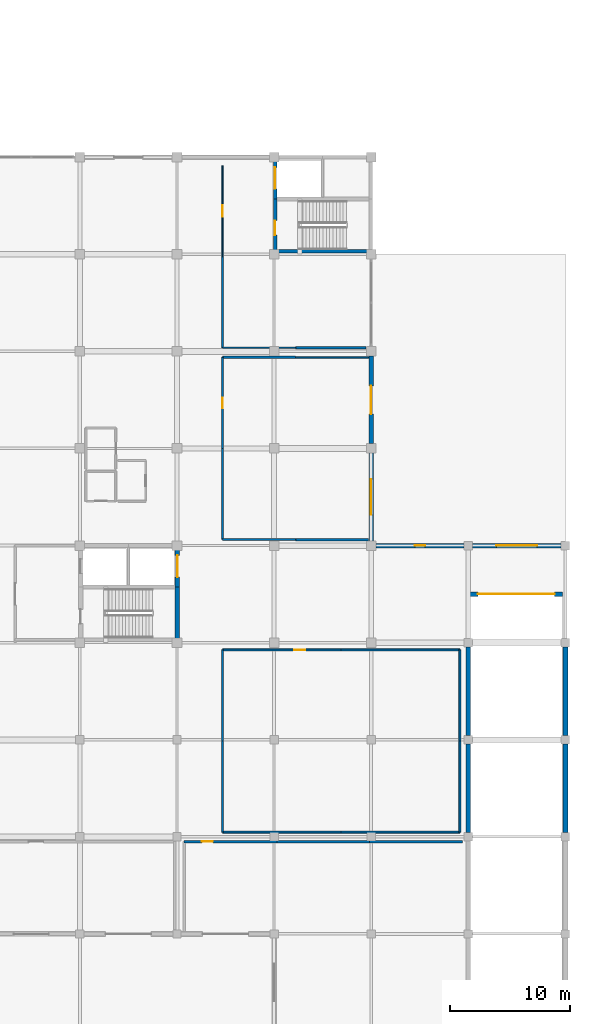
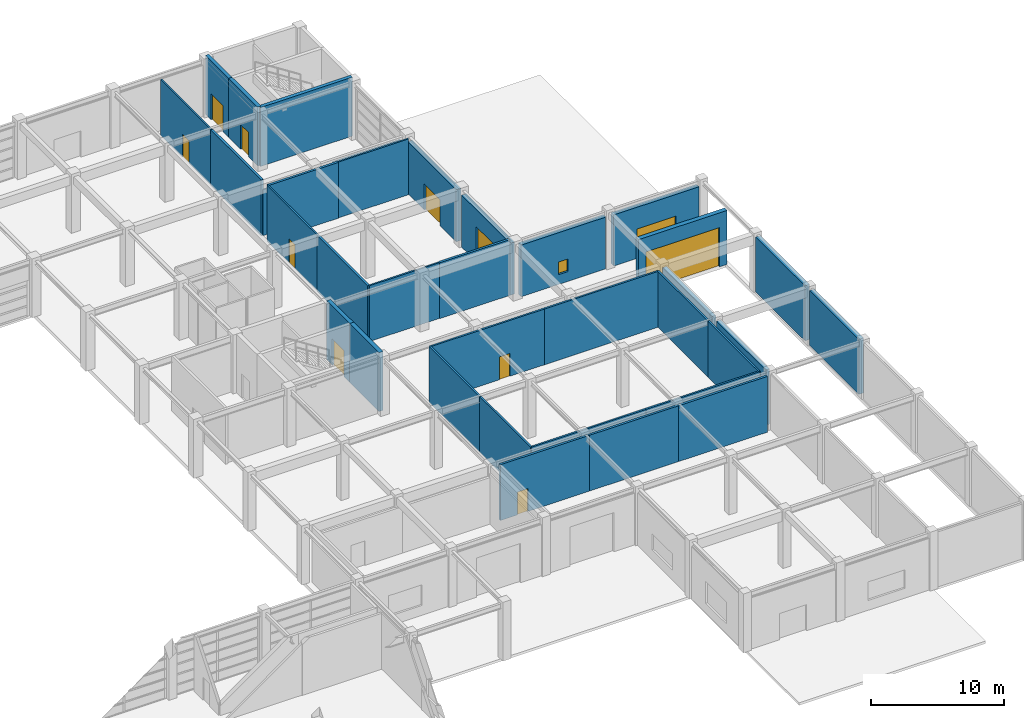
# One storey, part 42 of 52: 35 walls, 10 doors, 2 windows, 12 openings.
"""IFC4 building model written with IfcOpenShell, lengths in metres."""

from ifc_helpers import new_model, si_unit, direction, frame, frame_2d, origin, place, context, subcontext, project, spatial, rectangle, extrude, material, layer, layer_set, type_object, element, fill, save


model = new_model("IFC4")

# Units and contexts
model_context = context("Model", 3, precision=1e-05, world=origin(), true_north=direction((0.0, 1.0)))
body_context = subcontext(model_context, "Body", "Model", "MODEL_VIEW")
ifc_project = project(units=[si_unit("LENGTHUNIT", "METRE"), si_unit("AREAUNIT", "SQUARE_METRE"), si_unit("VOLUMEUNIT", "CUBIC_METRE"), si_unit("PLANEANGLEUNIT", "RADIAN"), si_unit("MASSUNIT", "GRAM", prefix="KILO")], contexts=[model_context])

# Site, building, storey
site_placement = place(None, origin())
site = spatial("IfcSite", under=ifc_project, at=site_placement, CompositionType="ELEMENT")
building_placement = place(site_placement, origin())
building = spatial("IfcBuilding", under=site, at=building_placement, Name="Parian Resonance Hall", CompositionType="ELEMENT")
storey_placement = place(building_placement, origin())
storey = spatial("IfcBuildingStorey", under=building, at=storey_placement, Name="L00", CompositionType="ELEMENT", Elevation=0.0)

# Wall, opening, door
ifc_material_1 = material(Name="Concrete C40/50", Category="concrete")
ifc_layer_1 = layer(ifc_material_1, 0.31005859375)
ifc_layer_set_1 = layer_set([ifc_layer_1], Name="Concrete C40/50")
wall_type_1 = type_object("IfcWallType", Name="CW310", PredefinedType="SHEAR", material=ifc_layer_set_1)
wall_1_placement = place(storey_placement, frame((137.7900390625, 81.25, 0.0), z_axis=(0.0, 0.0, 1.0), x_axis=(0.0, 1.0, 0.0)))
wall_1 = element("IfcWall", 1, at=wall_1_placement, inside=storey, type_object=wall_type_1, Name="Core K6 stairwell west shear wall L00", PredefinedType="SHEAR", context=body_context, shape_type="SweptSolid", body=[
    extrude(rectangle(XDim=4.360107421875, YDim=0.31005859375, at=frame_2d((2.18017578125, 0.0))), origin(), (0.0, 0.0, 1.0), 5.39990234375),
])
opening_1_placement = place(wall_1_placement, frame((1.35009765625, 0.0, 0.0)))
opening_1 = element("IfcOpeningElement", 2, at=opening_1_placement, cuts=wall_1, Name="Opening FD-01", PredefinedType="OPENING", context=body_context, shape_type="SweptSolid", body=[
    extrude(rectangle(XDim=1.199951171875, YDim=2.25, at=frame_2d((0.60009765625, 1.125))), frame((0.0, 0.1650390625, 0.0), z_axis=(0.0, -1.0, 0.0), x_axis=(1.0, 0.0, 0.0)), (0.0, 0.0, 1.0), 0.330078125),
])
ifc_material_2 = material(Name="Fire-rated acoustic steel and narra timber door", Category="steel")
door_type_1 = type_object("IfcDoorType", Name="FD-01", OperationType="NOTDEFINED", PredefinedType="DOOR", material=ifc_material_2)
door_1_placement = place(opening_1_placement, origin())
door_1 = element("IfcDoor", 3, at=door_1_placement, inside=storey, type_object=door_type_1, Name="Exit stair ST-06 fire door L00", OperationType="SINGLE_SWING_RIGHT", OverallHeight=2.25, OverallWidth=1.199951171875, PredefinedType="DOOR", context=body_context, shape_type="SweptSolid", body=[
    extrude(rectangle(XDim=1.199951171875, YDim=2.25, at=frame_2d((0.60009765625, 1.125))), frame((0.0, 0.02490234375, 0.0), z_axis=(0.0, -1.0, 0.0), x_axis=(1.0, 0.0, 0.0)), (0.0, 0.0, 1.0), 0.050048828125),
])
fill(opening_1, door_1)

wall_2_placement = place(storey_placement, frame((137.7900390625, 85.610107421875, 0.0), z_axis=(0.0, 0.0, 1.0), x_axis=(0.0, 1.0, 0.0)))
wall_2 = element("IfcWall", 4, at=wall_2_placement, inside=storey, type_object=wall_type_1, Name="Core K6 lift shaft west shear wall L00", PredefinedType="SHEAR", context=body_context, shape_type="SweptSolid", body=[
    extrude(rectangle(XDim=3.489990234375, YDim=0.31005859375, at=frame_2d((1.7451171875, 0.0))), origin(), (0.0, 0.0, 1.0), 5.39990234375),
])
opening_2_placement = place(wall_2_placement, frame((0.844970703125, 0.0, 0.0)))
opening_2 = element("IfcOpeningElement", 5, at=opening_2_placement, cuts=wall_2, Name="Opening LD-02", PredefinedType="OPENING", context=body_context, shape_type="SweptSolid", body=[
    extrude(rectangle(XDim=1.800048828125, YDim=2.39990234375, at=frame_2d((0.89990234375, 1.199951171875))), frame((0.0, 0.1650390625, 0.0), z_axis=(0.0, -1.0, 0.0), x_axis=(1.0, 0.0, 0.0)), (0.0, 0.0, 1.0), 0.330078125),
])
ifc_material_3 = material(Name="Stainless steel and bronze elevator cab", Category="steel")
door_type_2 = type_object("IfcDoorType", Name="DOOR-LIFT-1800x2400", OperationType="SLIDING_TO_LEFT", PredefinedType="DOOR", material=ifc_material_3)
door_2_placement = place(opening_2_placement, origin())
door_2 = element("IfcDoor", 6, at=door_2_placement, inside=storey, type_object=door_type_2, Name="Lift LF-08 sliding landing door L00", OperationType="SLIDING_TO_LEFT", OverallHeight=2.39990234375, OverallWidth=1.800048828125, PredefinedType="DOOR", context=body_context, shape_type="SweptSolid", body=[
    extrude(rectangle(XDim=1.800048828125, YDim=2.39990234375, at=frame_2d((0.89990234375, 1.199951171875))), frame((0.0, 0.02490234375, 0.0), z_axis=(0.0, -1.0, 0.0), x_axis=(1.0, 0.0, 0.0)), (0.0, 0.0, 1.0), 0.050048828125),
])
fill(opening_2, door_2)

# Wall
wall_3_placement = place(storey_placement, frame((145.77001953125, 81.25, 0.0), z_axis=(0.0, 0.0, 1.0), x_axis=(-1.0, 0.0, 0.0)))
element("IfcWall", 7, at=wall_3_placement, inside=storey, type_object=wall_type_1, Name="Core K6 stairwell south wall L00", PredefinedType="SHEAR", context=body_context, shape_type="SweptSolid", body=[
    extrude(rectangle(XDim=7.97998046875, YDim=0.31005859375, at=frame_2d((3.989990234375, 0.0))), origin(), (0.0, 0.0, 1.0), 5.39990234375),
])

# Wall, opening, door
ifc_material_4 = material(Name="Concrete C40/50", Category="concrete")
ifc_layer_2 = layer(ifc_material_4, 0.35009765625)
ifc_layer_set_2 = layer_set([ifc_layer_2], Name="Concrete C40/50")
wall_type_2 = type_object("IfcWallType", Name="CW350", PredefinedType="SHEAR", material=ifc_layer_set_2)
wall_4_placement = place(storey_placement, frame((129.6298828125, 56.699951171875, 0.0), z_axis=(0.0, 0.0, 1.0), x_axis=(0.0, -1.0, 0.0)))
wall_4 = element("IfcWall", 8, at=wall_4_placement, inside=storey, type_object=wall_type_2, Name="Core K2 east shaft wall L00", PredefinedType="SHEAR", context=body_context, shape_type="SweptSolid", body=[
    extrude(rectangle(XDim=3.449951171875, YDim=0.35009765625, at=frame_2d((1.72509765625, 0.0))), origin(), (0.0, 0.0, 1.0), 5.39990234375),
])
opening_3_placement = place(wall_4_placement, frame((0.824951171875, 0.0, 0.0)))
opening_3 = element("IfcOpeningElement", 9, at=opening_3_placement, cuts=wall_4, Name="Opening LD-02", PredefinedType="OPENING", context=body_context, shape_type="SweptSolid", body=[
    extrude(rectangle(XDim=1.800048828125, YDim=2.39990234375, at=frame_2d((0.89990234375, 1.199951171875))), frame((0.0, 0.18505859375, 0.0), z_axis=(0.0, -1.0, 0.0), x_axis=(1.0, 0.0, 0.0)), (0.0, 0.0, 1.0), 0.3701171875),
])
door_3_placement = place(opening_3_placement, origin())
door_3 = element("IfcDoor", 10, at=door_3_placement, inside=storey, type_object=door_type_2, Name="Lift LF-07 sliding landing door L00", OperationType="SLIDING_TO_LEFT", OverallHeight=2.39990234375, OverallWidth=1.800048828125, PredefinedType="DOOR", context=body_context, shape_type="SweptSolid", body=[
    extrude(rectangle(XDim=1.800048828125, YDim=2.39990234375, at=frame_2d((0.89990234375, 1.199951171875))), frame((0.0, 0.02490234375, 0.0), z_axis=(0.0, -1.0, 0.0), x_axis=(1.0, 0.0, 0.0)), (0.0, 0.0, 1.0), 0.050048828125),
])
fill(opening_3, door_3)

# Wall
wall_5_placement = place(storey_placement, frame((129.6298828125, 53.25, 0.0), z_axis=(0.0, 0.0, 1.0), x_axis=(0.0, -1.0, 0.0)))
element("IfcWall", 11, at=wall_5_placement, inside=storey, type_object=wall_type_2, Name="Core K2 stairwell east wall L00", PredefinedType="SHEAR", context=body_context, shape_type="SweptSolid", body=[
    extrude(rectangle(XDim=4.419921875, YDim=0.35009765625, at=frame_2d((2.2099609375, 0.0))), origin(), (0.0, 0.0, 1.0), 5.39990234375),
])

# Wall, opening, door
ifc_material_5 = material(Name="Concrete C35/45 with Carcar coral-limestone ashlar", Category="masonry")
ifc_layer_3 = layer(ifc_material_5, 0.3798828125)
ifc_layer_set_3 = layer_set([ifc_layer_3], Name="Concrete C35/45 with Carcar coral-limestone ashlar")
wall_type_3 = type_object("IfcWallType", Name="EW-PLINTH-380", PredefinedType="SOLIDWALL", material=ifc_layer_set_3)
wall_6_placement = place(storey_placement, frame((154.050048828125, 52.64990234375, 0.0), z_axis=(0.0, 0.0, 1.0), x_axis=(1.0, 0.0, 0.0)))
wall_6 = element("IfcWall", 12, at=wall_6_placement, inside=storey, type_object=wall_type_3, Name="Vehicle ramp grade portal wall", PredefinedType="SOLIDWALL", context=body_context, shape_type="SweptSolid", body=[
    extrude(rectangle(XDim=7.699951171875, YDim=0.3798828125, at=frame_2d((3.85009765625, 0.0))), origin(), (0.0, 0.0, 1.0), 4.949951171875),
])
opening_4_placement = place(wall_6_placement, frame((0.64990234375, 0.0, 0.0)))
opening_4 = element("IfcOpeningElement", 13, at=opening_4_placement, cuts=wall_6, Name="Opening VG-01", PredefinedType="OPENING", context=body_context, shape_type="SweptSolid", body=[
    extrude(rectangle(XDim=6.39990234375, YDim=3.60009765625, at=frame_2d((3.199951171875, 1.800048828125))), frame((0.0, 0.199951171875, 0.0), z_axis=(0.0, -1.0, 0.0), x_axis=(1.0, 0.0, 0.0)), (0.0, 0.0, 1.0), 0.39990234375),
])
ifc_material_6 = material(Name="Galvanised steel acoustic roller shutter", Category="steel")
door_type_3 = type_object("IfcDoorType", Name="GATE-RAMP-6400x3600", OperationType="NOTDEFINED", PredefinedType="GATE", material=ifc_material_6)
door_4_placement = place(opening_4_placement, origin())
door_4 = element("IfcDoor", 14, at=door_4_placement, inside=storey, type_object=door_type_3, Name="Car park vehicle ramp roller shutter gate VG-01", OperationType="SLIDING_TO_LEFT", OverallHeight=3.60009765625, OverallWidth=6.39990234375, PredefinedType="GATE", context=body_context, shape_type="SweptSolid", body=[
    extrude(rectangle(XDim=6.39990234375, YDim=3.60009765625, at=frame_2d((3.199951171875, 1.800048828125))), frame((0.0, 0.02490234375, 0.0), z_axis=(0.0, -1.0, 0.0), x_axis=(1.0, 0.0, 0.0)), (0.0, 0.0, 1.0), 0.050048828125),
])
fill(opening_4, door_4)

# Wall, opening, window
wall_7_placement = place(storey_placement, frame((161.64990234375, 56.699951171875, 0.0), z_axis=(0.0, 0.0, 1.0), x_axis=(-1.0, 0.0, 0.0)))
wall_7 = element("IfcWall", 15, at=wall_7_placement, inside=storey, type_object=wall_type_3, Name="Perimeter closure wall L00", PredefinedType="SOLIDWALL", context=body_context, shape_type="SweptSolid", body=[
    extrude(rectangle(XDim=7.39990234375, YDim=0.3798828125, at=frame_2d((3.699951171875, 0.0))), origin(), (0.0, 0.0, 1.0), 4.695068359375),
])
opening_5_placement = place(wall_7_placement, frame((2.0, 0.0, 0.89990234375)))
opening_5 = element("IfcOpeningElement", 16, at=opening_5_placement, cuts=wall_7, Name="Opening WN-52", PredefinedType="OPENING", context=body_context, shape_type="SweptSolid", body=[
    extrude(rectangle(XDim=3.39990234375, YDim=1.800048828125, at=frame_2d((1.699951171875, 0.89990234375))), frame((0.0, 0.199951171875, 0.0), z_axis=(0.0, -1.0, 0.0), x_axis=(1.0, 0.0, 0.0)), (0.0, 0.0, 1.0), 0.39990234375),
])
ifc_material_7 = material(Name="Acoustic laminated double glazing", Category="glass")
window_type_1 = type_object("IfcWindowType", Name="WIN-3400x1800", PartitioningType="SINGLE_PANEL", PredefinedType="WINDOW", material=ifc_material_7)
window_1_placement = place(opening_5_placement, origin())
window_1 = element("IfcWindow", 17, at=window_1_placement, inside=storey, type_object=window_type_1, Name="Acoustic window L00-0045", OverallHeight=1.800048828125, OverallWidth=3.39990234375, PartitioningType="SINGLE_PANEL", PredefinedType="WINDOW", context=body_context, shape_type="SweptSolid", body=[
    extrude(rectangle(XDim=3.39990234375, YDim=1.800048828125, at=frame_2d((1.699951171875, 0.89990234375))), frame((0.0, 0.030029296875, 0.0), z_axis=(0.0, -1.0, 0.0), x_axis=(1.0, 0.0, 0.0)), (0.0, 0.0, 1.0), 0.06005859375),
])
fill(opening_5, window_1)

wall_8_placement = place(storey_placement, frame((153.550048828125, 56.699951171875, 0.0), z_axis=(0.0, 0.0, 1.0), x_axis=(-1.0, 0.0, 0.0)))
wall_8 = element("IfcWall", 18, at=wall_8_placement, inside=storey, type_object=wall_type_3, Name="Perimeter closure wall L00", PredefinedType="SOLIDWALL", context=body_context, shape_type="SweptSolid", body=[
    extrude(rectangle(XDim=7.35009765625, YDim=0.3798828125, at=frame_2d((3.675048828125, 0.0))), origin(), (0.0, 0.0, 1.0), 4.7470703125),
])
opening_6_placement = place(wall_8_placement, frame((3.25, 0.0, 0.89990234375)))
opening_6 = element("IfcOpeningElement", 19, at=opening_6_placement, cuts=wall_8, Name="Opening WN-01", PredefinedType="OPENING", context=body_context, shape_type="SweptSolid", body=[
    extrude(rectangle(XDim=0.85009765625, YDim=1.14990234375, at=frame_2d((0.425048828125, 0.574951171875))), frame((0.0, 0.199951171875, 0.0), z_axis=(0.0, -1.0, 0.0), x_axis=(1.0, 0.0, 0.0)), (0.0, 0.0, 1.0), 0.39990234375),
])
ifc_material_8 = material(Name="Acoustic laminated double glazing", Category="glass")
window_type_2 = type_object("IfcWindowType", Name="WIN-850x1150", PartitioningType="SINGLE_PANEL", PredefinedType="WINDOW", material=ifc_material_8)
window_2_placement = place(opening_6_placement, origin())
window_2 = element("IfcWindow", 20, at=window_2_placement, inside=storey, type_object=window_type_2, Name="Acoustic window L00-0046", OverallHeight=1.14990234375, OverallWidth=0.85009765625, PartitioningType="SINGLE_PANEL", PredefinedType="WINDOW", context=body_context, shape_type="SweptSolid", body=[
    extrude(rectangle(XDim=0.85009765625, YDim=1.14990234375, at=frame_2d((0.425048828125, 0.574951171875))), frame((0.0, 0.030029296875, 0.0), z_axis=(0.0, -1.0, 0.0), x_axis=(1.0, 0.0, 0.0)), (0.0, 0.0, 1.0), 0.06005859375),
])
fill(opening_6, window_2)

# Wall, opening, door
ifc_material_9 = material(Name="Concrete C35/45 with Carcar coral-limestone ashlar", Category="masonry")
ifc_layer_4 = layer(ifc_material_9, 0.39990234375)
ifc_layer_set_4 = layer_set([ifc_layer_4], Name="Concrete C35/45 with Carcar coral-limestone ashlar")
wall_type_4 = type_object("IfcWallType", Name="EW-PLINTH-400", PredefinedType="SOLIDWALL", material=ifc_layer_set_4)
wall_9_placement = place(storey_placement, frame((145.800048828125, 64.39990234375, 0.0), z_axis=(0.0, 0.0, 1.0), x_axis=(0.0, -1.0, 0.0)))
wall_9 = element("IfcWall", 21, at=wall_9_placement, inside=storey, type_object=wall_type_4, Name="Exterior wall EW-L00-0157", PredefinedType="SOLIDWALL", context=body_context, shape_type="SweptSolid", body=[
    extrude(rectangle(XDim=7.2998046875, YDim=0.39990234375, at=frame_2d((3.64990234375, 0.0))), origin(), (0.0, 0.0, 1.0), 4.76708984375),
])
opening_7_placement = place(wall_9_placement, frame((2.14990234375, 0.0, 0.0)))
opening_7 = element("IfcOpeningElement", 22, at=opening_7_placement, cuts=wall_9, Name="Opening SG-01", PredefinedType="OPENING", context=body_context, shape_type="SweptSolid", body=[
    extrude(rectangle(XDim=3.0, YDim=3.199951171875, at=frame_2d((1.5, 1.60009765625))), frame((0.0, 0.2099609375, 0.0), z_axis=(0.0, -1.0, 0.0), x_axis=(1.0, 0.0, 0.0)), (0.0, 0.0, 1.0), 0.419921875),
])
ifc_material_10 = material(Name="Galvanised steel acoustic roller shutter", Category="steel")
door_type_4 = type_object("IfcDoorType", Name="GATE-SERV-3000x3200", OperationType="NOTDEFINED", PredefinedType="GATE", material=ifc_material_10)
door_5_placement = place(opening_7_placement, origin())
door_5 = element("IfcDoor", 23, at=door_5_placement, inside=storey, type_object=door_type_4, Name="East service apron stage gate SG-E1", OperationType="DOUBLE_DOOR_SINGLE_SWING", OverallHeight=3.199951171875, OverallWidth=3.0, PredefinedType="GATE", context=body_context, shape_type="SweptSolid", body=[
    extrude(rectangle(XDim=3.0, YDim=3.199951171875, at=frame_2d((1.5, 1.60009765625))), frame((0.0, 0.02490234375, 0.0), z_axis=(0.0, -1.0, 0.0), x_axis=(1.0, 0.0, 0.0)), (0.0, 0.0, 1.0), 0.050048828125),
])
fill(opening_7, door_5)

wall_10_placement = place(storey_placement, frame((145.800048828125, 72.5, 0.0), z_axis=(0.0, 0.0, 1.0), x_axis=(0.0, -1.0, 0.0)))
wall_10 = element("IfcWall", 24, at=wall_10_placement, inside=storey, type_object=wall_type_4, Name="Exterior wall EW-L00-0158", PredefinedType="SOLIDWALL", context=body_context, shape_type="SweptSolid", body=[
    extrude(rectangle(XDim=7.300048828125, YDim=0.39990234375, at=frame_2d((3.64990234375, 0.0))), origin(), (0.0, 0.0, 1.0), 4.76708984375),
])
opening_8_placement = place(wall_10_placement, frame((2.469970703125, 0.0, 0.0)))
opening_8 = element("IfcOpeningElement", 25, at=opening_8_placement, cuts=wall_10, Name="Opening EX-01", PredefinedType="OPENING", context=body_context, shape_type="SweptSolid", body=[
    extrude(rectangle(XDim=2.360107421875, YDim=2.39990234375, at=frame_2d((1.18017578125, 1.199951171875))), frame((0.0, 0.2099609375, 0.0), z_axis=(0.0, -1.0, 0.0), x_axis=(1.0, 0.0, 0.0)), (0.0, 0.0, 1.0), 0.419921875),
])
ifc_material_11 = material(Name="Marine-grade bronze and acoustic glazed door")
door_type_5 = type_object("IfcDoorType", Name="ED-EXIT-2000x2400", OperationType="NOTDEFINED", PredefinedType="DOOR", material=ifc_material_11)
door_6_placement = place(opening_8_placement, origin())
door_6 = element("IfcDoor", 26, at=door_6_placement, inside=storey, type_object=door_type_5, Name="East artists exit door EX-V5E-8", OperationType="DOUBLE_DOOR_SINGLE_SWING", OverallHeight=2.39990234375, OverallWidth=2.360107421875, PredefinedType="DOOR", context=body_context, shape_type="SweptSolid", body=[
    extrude(rectangle(XDim=2.360107421875, YDim=2.39990234375, at=frame_2d((1.18017578125, 1.199951171875))), frame((0.0, 0.02490234375, 0.0), z_axis=(0.0, -1.0, 0.0), x_axis=(1.0, 0.0, 0.0)), (0.0, 0.0, 1.0), 0.050048828125),
])
fill(opening_8, door_6)

# Walls
for number, where, z_axis, x_axis, name in (
    (27, (162.0, 40.14990234375, 0.0), (0.0, 0.0, 1.0), (0.0, -1.0, 0.0), "Ground vehicle ramp east enclosure wall 4"),
    (28, (162.0, 48.25, 0.0), (0.0, 0.0, 1.0), (0.0, -1.0, 0.0), "Ground vehicle ramp east enclosure wall 5"),
):
    element("IfcWall", number, at=place(storey_placement, frame(where, z_axis=z_axis, x_axis=x_axis)), inside=storey, type_object=wall_type_4, Name=name, PredefinedType="SOLIDWALL", context=body_context, shape_type="SweptSolid", body=[
        extrude(rectangle(XDim=7.39990234375, YDim=0.39990234375, at=frame_2d((3.699951171875, 0.0))), origin(), (0.0, 0.0, 1.0), 5.050048828125),
    ])
ifc_material_12 = material(Name="Concrete C35/45 with Carcar coral-limestone ashlar", Category="masonry")
ifc_layer_5 = layer(ifc_material_12, 0.340087890625)
ifc_layer_set_5 = layer_set([ifc_layer_5], Name="Concrete C35/45 with Carcar coral-limestone ashlar")
wall_type_5 = type_object("IfcWallType", Name="EW-STONE-340", PredefinedType="SOLIDWALL", material=ifc_layer_set_5)
for number, where, z_axis, x_axis, name in (
    (29, (153.89990234375, 32.75, 0.0), (0.0, 0.0, 1.0), (0.0, 1.0, 0.0), "Ground vehicle ramp west enclosure wall 4"),
    (30, (153.89990234375, 40.85009765625, 0.0), (0.0, 0.0, 1.0), (0.0, 1.0, 0.0), "Ground vehicle ramp west enclosure wall 5"),
):
    element("IfcWall", number, at=place(storey_placement, frame(where, z_axis=z_axis, x_axis=x_axis)), inside=storey, type_object=wall_type_5, Name=name, PredefinedType="SOLIDWALL", context=body_context, shape_type="SweptSolid", body=[
        extrude(rectangle(XDim=7.39990234375, YDim=0.340087890625, at=frame_2d((3.699951171875, 0.0))), origin(), (0.0, 0.0, 1.0), 5.050048828125),
    ])

# Wall, opening, door
ifc_material_13 = material(Name="Concrete C35/45 fire barrier", Category="concrete")
ifc_layer_6 = layer(ifc_material_13, 0.199951171875)
ifc_layer_set_6 = layer_set([ifc_layer_6], Name="Concrete C35/45 fire barrier")
wall_type_6 = type_object("IfcWallType", Name="FW200", PredefinedType="PARTITIONING", material=ifc_layer_set_6)
wall_11_placement = place(storey_placement, frame((130.199951171875, 32.0, 0.0), z_axis=(0.0, 0.0, 1.0), x_axis=(1.0, 0.0, 0.0)))
wall_11 = element("IfcWall", 31, at=wall_11_placement, inside=storey, type_object=wall_type_6, Name="Interior acoustic partition IW-L00-0085", PredefinedType="PARTITIONING", context=body_context, shape_type="SweptSolid", body=[
    extrude(rectangle(XDim=7.7333984375, YDim=0.199951171875, at=frame_2d((3.86669921875, 0.0))), origin(), (0.0, 0.0, 1.0), 5.1201171875),
])
opening_9_placement = place(wall_11_placement, frame((1.473388671875, 0.0, 0.0)))
opening_9 = element("IfcOpeningElement", 32, at=opening_9_placement, cuts=wall_11, Name="Opening ID-20", PredefinedType="OPENING", context=body_context, shape_type="SweptSolid", body=[
    extrude(rectangle(XDim=0.919921875, YDim=2.10009765625, at=frame_2d((0.4599609375, 1.050048828125))), frame((0.0, 0.10986328125, 0.0), z_axis=(0.0, -1.0, 0.0), x_axis=(1.0, 0.0, 0.0)), (0.0, 0.0, 1.0), 0.219970703125),
])
ifc_material_14 = material(Name="Philippine narra acoustic timber door", Category="wood")
door_type_6 = type_object("IfcDoorType", Name="ID-OFF-0920x2100", OperationType="NOTDEFINED", PredefinedType="DOOR", material=ifc_material_14)
door_7_placement = place(opening_9_placement, origin())
door_7 = element("IfcDoor", 33, at=door_7_placement, inside=storey, type_object=door_type_6, Name="Enclosed Acoustic Loading Dock door", OperationType="SINGLE_SWING_LEFT", OverallHeight=2.10009765625, OverallWidth=0.919921875, PredefinedType="DOOR", context=body_context, shape_type="SweptSolid", body=[
    extrude(rectangle(XDim=0.919921875, YDim=2.10009765625, at=frame_2d((0.4599609375, 1.050048828125))), frame((0.0, 0.02490234375, 0.0), z_axis=(0.0, -1.0, 0.0), x_axis=(1.0, 0.0, 0.0)), (0.0, 0.0, 1.0), 0.050048828125),
])
fill(opening_9, door_7)

# Walls
wall_12_placement = place(storey_placement, frame((137.933349609375, 32.0, 0.0), z_axis=(0.0, 0.0, 1.0), x_axis=(1.0, 0.0, 0.0)))
element("IfcWall", 34, at=wall_12_placement, inside=storey, type_object=wall_type_6, Name="Interior acoustic partition IW-L00-0086", PredefinedType="PARTITIONING", context=body_context, shape_type="SweptSolid", body=[
    extrude(rectangle(XDim=7.7333984375, YDim=0.199951171875, at=frame_2d((3.86669921875, 0.0))), origin(), (0.0, 0.0, 1.0), 5.1201171875),
])
wall_13_placement = place(storey_placement, frame((145.666748046875, 32.0, 0.0), z_axis=(0.0, 0.0, 1.0), x_axis=(1.0, 0.0, 0.0)))
element("IfcWall", 35, at=wall_13_placement, inside=storey, type_object=wall_type_6, Name="Interior acoustic partition IW-L00-0087", PredefinedType="PARTITIONING", context=body_context, shape_type="SweptSolid", body=[
    extrude(rectangle(XDim=7.733154296875, YDim=0.199951171875, at=frame_2d((3.86669921875, 0.0))), origin(), (0.0, 0.0, 1.0), 5.1201171875),
])
for number, where, z_axis, x_axis, name in (
    (36, (133.39990234375, 72.39990234375, 0.0), (0.0, 0.0, 1.0), (1.0, 0.0, 0.0), "Interior acoustic partition IW-L00-0100"),
    (37, (145.580078125, 57.199951171875, 0.0), (0.0, 0.0, 1.0), (-1.0, 0.0, 0.0), "Interior acoustic partition IW-L00-0102"),
):
    element("IfcWall", number, at=place(storey_placement, frame(where, z_axis=z_axis, x_axis=x_axis)), inside=storey, type_object=wall_type_6, Name=name, PredefinedType="PARTITIONING", context=body_context, shape_type="SweptSolid", body=[
        extrude(rectangle(XDim=6.090087890625, YDim=0.199951171875, at=frame_2d((3.044921875, 0.0))), origin(), (0.0, 0.0, 1.0), 5.1201171875),
    ])
wall_14_placement = place(storey_placement, frame((133.39990234375, 57.199951171875, 0.0), z_axis=(0.0, 0.0, 1.0), x_axis=(0.0, 1.0, 0.0)))
element("IfcWall", 38, at=wall_14_placement, inside=storey, type_object=wall_type_6, Name="Interior acoustic partition IW-L00-0104", PredefinedType="PARTITIONING", context=body_context, shape_type="SweptSolid", body=[
    extrude(rectangle(XDim=7.60009765625, YDim=0.199951171875, at=frame_2d((3.800048828125, 0.0))), origin(), (0.0, 0.0, 1.0), 5.1201171875),
])
wall_15_placement = place(storey_placement, frame((145.3798828125, 73.199951171875, 0.0), z_axis=(0.0, 0.0, 1.0), x_axis=(-1.0, 0.0, 0.0)))
element("IfcWall", 39, at=wall_15_placement, inside=storey, type_object=wall_type_6, Name="Interior acoustic partition IW-L00-0106", PredefinedType="PARTITIONING", context=body_context, shape_type="SweptSolid", body=[
    extrude(rectangle(XDim=5.889892578125, YDim=0.199951171875, at=frame_2d((2.94482421875, 0.0))), origin(), (0.0, 0.0, 1.0), 4.580078125),
])
wall_16_placement = place(storey_placement, frame((133.39990234375, 73.199951171875, 0.0), z_axis=(0.0, 0.0, 1.0), x_axis=(0.0, 1.0, 0.0)))
element("IfcWall", 40, at=wall_16_placement, inside=storey, type_object=wall_type_6, Name="Interior acoustic partition IW-L00-0108", PredefinedType="PARTITIONING", context=body_context, shape_type="SweptSolid", body=[
    extrude(rectangle(XDim=7.60009765625, YDim=0.199951171875, at=frame_2d((3.800048828125, 0.0))), origin(), (0.0, 0.0, 1.0), 5.1201171875),
])
ifc_material_15 = material(Name="Concrete C35/45 acoustic masonry partition", Category="masonry")
ifc_layer_7 = layer(ifc_material_15, 0.1201171875)
ifc_layer_set_7 = layer_set([ifc_layer_7], Name="Concrete C35/45 acoustic masonry partition")
wall_type_7 = type_object("IfcWallType", Name="PW120", PredefinedType="PARTITIONING", material=ifc_layer_set_7)
wall_17_placement = place(storey_placement, frame((139.489990234375, 73.199951171875, 0.0), z_axis=(0.0, 0.0, 1.0), x_axis=(-1.0, 0.0, 0.0)))
element("IfcWall", 41, at=wall_17_placement, inside=storey, type_object=wall_type_7, Name="Interior acoustic partition IW-L00-0107", PredefinedType="PARTITIONING", context=body_context, shape_type="SweptSolid", body=[
    extrude(rectangle(XDim=6.090087890625, YDim=0.1201171875, at=frame_2d((3.044921875, 0.0))), origin(), (0.0, 0.0, 1.0), 4.22412109375),
])

# Wall, opening, door
wall_18_placement = place(storey_placement, frame((133.39990234375, 80.800048828125, 0.0), z_axis=(0.0, 0.0, 1.0), x_axis=(0.0, 1.0, 0.0)))
wall_18 = element("IfcWall", 42, at=wall_18_placement, inside=storey, type_object=wall_type_7, Name="Interior acoustic partition IW-L00-0109", PredefinedType="PARTITIONING", context=body_context, shape_type="SweptSolid", body=[
    extrude(rectangle(XDim=7.599853515625, YDim=0.1201171875, at=frame_2d((3.7998046875, 0.0))), origin(), (0.0, 0.0, 1.0), 5.1201171875),
])
opening_10_placement = place(wall_18_placement, frame((3.31005859375, 0.0, 0.0)))
opening_10 = element("IfcOpeningElement", 43, at=opening_10_placement, cuts=wall_18, Name="Opening ID-16", PredefinedType="OPENING", context=body_context, shape_type="SweptSolid", body=[
    extrude(rectangle(XDim=0.97998046875, YDim=2.10009765625, at=frame_2d((0.489990234375, 1.050048828125))), frame((0.0, 0.070068359375, 0.0), z_axis=(0.0, -1.0, 0.0), x_axis=(1.0, 0.0, 0.0)), (0.0, 0.0, 1.0), 0.14013671875),
])
ifc_material_16 = material(Name="Philippine narra acoustic timber door", Category="wood")
door_type_7 = type_object("IfcDoorType", Name="ID-DRS-0980x2100", OperationType="NOTDEFINED", PredefinedType="DOOR", material=ifc_material_16)
door_8_placement = place(opening_10_placement, origin())
door_8 = element("IfcDoor", 44, at=door_8_placement, inside=storey, type_object=door_type_7, Name="Harp and Timpani Practice Studio door", OperationType="SINGLE_SWING_LEFT", OverallHeight=2.10009765625, OverallWidth=0.97998046875, PredefinedType="DOOR", context=body_context, shape_type="SweptSolid", body=[
    extrude(rectangle(XDim=0.97998046875, YDim=2.10009765625, at=frame_2d((0.489990234375, 1.050048828125))), frame((0.0, 0.02490234375, 0.0), z_axis=(0.0, -1.0, 0.0), x_axis=(1.0, 0.0, 0.0)), (0.0, 0.0, 1.0), 0.050048828125),
])
fill(opening_10, door_8)

# Walls
ifc_material_17 = material(Name="Concrete C35/45 acoustic masonry partition", Category="masonry")
ifc_layer_8 = layer(ifc_material_17, 0.139892578125)
ifc_layer_set_8 = layer_set([ifc_layer_8], Name="Concrete C35/45 acoustic masonry partition")
wall_type_8 = type_object("IfcWallType", Name="PW140", PredefinedType="PARTITIONING", material=ifc_layer_set_8)
for number, where, z_axis, x_axis, name in (
    (45, (139.489990234375, 72.39990234375, 0.0), (0.0, 0.0, 1.0), (1.0, 0.0, 0.0), "Interior acoustic partition IW-L00-0101"),
    (46, (139.489990234375, 57.199951171875, 0.0), (0.0, 0.0, 1.0), (-1.0, 0.0, 0.0), "Interior acoustic partition IW-L00-0103"),
):
    element("IfcWall", number, at=place(storey_placement, frame(where, z_axis=z_axis, x_axis=x_axis)), inside=storey, type_object=wall_type_8, Name=name, PredefinedType="PARTITIONING", context=body_context, shape_type="SweptSolid", body=[
        extrude(rectangle(XDim=6.090087890625, YDim=0.139892578125, at=frame_2d((3.044921875, 0.0))), origin(), (0.0, 0.0, 1.0), 5.1201171875),
    ])

# Wall, opening, door
wall_19_placement = place(storey_placement, frame((133.39990234375, 64.800048828125, 0.0), z_axis=(0.0, 0.0, 1.0), x_axis=(0.0, 1.0, 0.0)))
wall_19 = element("IfcWall", 47, at=wall_19_placement, inside=storey, type_object=wall_type_8, Name="Interior acoustic partition IW-L00-0105", PredefinedType="PARTITIONING", context=body_context, shape_type="SweptSolid", body=[
    extrude(rectangle(XDim=7.599853515625, YDim=0.139892578125, at=frame_2d((3.7998046875, 0.0))), origin(), (0.0, 0.0, 1.0), 5.1201171875),
])
opening_11_placement = place(wall_19_placement, frame((3.35009765625, 0.0, 0.0)))
opening_11 = element("IfcOpeningElement", 48, at=opening_11_placement, cuts=wall_19, Name="Opening ID-23", PredefinedType="OPENING", context=body_context, shape_type="SweptSolid", body=[
    extrude(rectangle(XDim=0.89990234375, YDim=2.199951171875, at=frame_2d((0.449951171875, 1.10009765625))), frame((0.0, 0.079833984375, 0.0), z_axis=(0.0, -1.0, 0.0), x_axis=(1.0, 0.0, 0.0)), (0.0, 0.0, 1.0), 0.159912109375),
])
ifc_material_18 = material(Name="Philippine narra acoustic timber door", Category="wood")
door_type_8 = type_object("IfcDoorType", Name="ID-WC-0900x2200", OperationType="NOTDEFINED", PredefinedType="DOOR", material=ifc_material_18)
door_9_placement = place(opening_11_placement, origin())
door_9 = element("IfcDoor", 49, at=door_9_placement, inside=storey, type_object=door_type_8, Name="Percussion Practice Studio 02 door", OperationType="SINGLE_SWING_RIGHT", OverallHeight=2.199951171875, OverallWidth=0.89990234375, PredefinedType="DOOR", context=body_context, shape_type="SweptSolid", body=[
    extrude(rectangle(XDim=0.89990234375, YDim=2.199951171875, at=frame_2d((0.449951171875, 1.10009765625))), frame((0.0, 0.02490234375, 0.0), z_axis=(0.0, -1.0, 0.0), x_axis=(1.0, 0.0, 0.0)), (0.0, 0.0, 1.0), 0.050048828125),
])
fill(opening_11, door_9)

# Walls
ifc_material_19 = material(Name="Concrete C35/45 acoustic masonry partition", Category="masonry")
ifc_layer_9 = layer(ifc_material_19, 0.159912109375)
ifc_layer_set_9 = layer_set([ifc_layer_9], Name="Concrete C35/45 acoustic masonry partition")
wall_type_9 = type_object("IfcWallType", Name="PW160", PredefinedType="PARTITIONING", material=ifc_layer_set_9)
wall_20_placement = place(storey_placement, frame((153.199951171875, 48.0, 0.0), z_axis=(0.0, 0.0, 1.0), x_axis=(0.0, -1.0, 0.0)))
element("IfcWall", 50, at=wall_20_placement, inside=storey, type_object=wall_type_9, Name="Interior acoustic partition IW-L00-0092", PredefinedType="PARTITIONING", context=body_context, shape_type="SweptSolid", body=[
    extrude(rectangle(XDim=7.60009765625, YDim=0.159912109375, at=frame_2d((3.800048828125, 0.0))), origin(), (0.0, 0.0, 1.0), 5.1201171875),
])
wall_21_placement = place(storey_placement, frame((153.199951171875, 40.39990234375, 0.0), z_axis=(0.0, 0.0, 1.0), x_axis=(0.0, -1.0, 0.0)))
element("IfcWall", 51, at=wall_21_placement, inside=storey, type_object=wall_type_9, Name="Interior acoustic partition IW-L00-0093", PredefinedType="PARTITIONING", context=body_context, shape_type="SweptSolid", body=[
    extrude(rectangle(XDim=7.599853515625, YDim=0.159912109375, at=frame_2d((3.7998046875, 0.0))), origin(), (0.0, 0.0, 1.0), 5.1201171875),
])
wall_22_placement = place(storey_placement, frame((153.199951171875, 32.800048828125, 0.0), z_axis=(0.0, 0.0, 1.0), x_axis=(-1.0, 0.0, 0.0)))
element("IfcWall", 52, at=wall_22_placement, inside=storey, type_object=wall_type_9, Name="Interior acoustic partition IW-L00-0094", PredefinedType="PARTITIONING", context=body_context, shape_type="SweptSolid", body=[
    extrude(rectangle(XDim=9.89990234375, YDim=0.159912109375, at=frame_2d((4.949951171875, 0.0))), origin(), (0.0, 0.0, 1.0), 5.1201171875),
])
wall_23_placement = place(storey_placement, frame((143.300048828125, 32.800048828125, 0.0), z_axis=(0.0, 0.0, 1.0), x_axis=(-1.0, 0.0, 0.0)))
element("IfcWall", 53, at=wall_23_placement, inside=storey, type_object=wall_type_9, Name="Interior acoustic partition IW-L00-0095", PredefinedType="PARTITIONING", context=body_context, shape_type="SweptSolid", body=[
    extrude(rectangle(XDim=9.900146484375, YDim=0.159912109375, at=frame_2d((4.9501953125, 0.0))), origin(), (0.0, 0.0, 1.0), 5.1201171875),
])
wall_24_placement = place(storey_placement, frame((133.39990234375, 32.800048828125, 0.0), z_axis=(0.0, 0.0, 1.0), x_axis=(0.0, 1.0, 0.0)))
element("IfcWall", 54, at=wall_24_placement, inside=storey, type_object=wall_type_9, Name="Interior acoustic partition IW-L00-0096", PredefinedType="PARTITIONING", context=body_context, shape_type="SweptSolid", body=[
    extrude(rectangle(XDim=7.599853515625, YDim=0.159912109375, at=frame_2d((3.7998046875, 0.0))), origin(), (0.0, 0.0, 1.0), 5.1201171875),
])
wall_25_placement = place(storey_placement, frame((133.39990234375, 40.39990234375, 0.0), z_axis=(0.0, 0.0, 1.0), x_axis=(0.0, 1.0, 0.0)))
element("IfcWall", 55, at=wall_25_placement, inside=storey, type_object=wall_type_9, Name="Interior acoustic partition IW-L00-0097", PredefinedType="PARTITIONING", context=body_context, shape_type="SweptSolid", body=[
    extrude(rectangle(XDim=7.60009765625, YDim=0.159912109375, at=frame_2d((3.800048828125, 0.0))), origin(), (0.0, 0.0, 1.0), 5.1201171875),
])

# Wall, opening, door
wall_26_placement = place(storey_placement, frame((133.39990234375, 48.0, 0.0), z_axis=(0.0, 0.0, 1.0), x_axis=(1.0, 0.0, 0.0)))
wall_26 = element("IfcWall", 56, at=wall_26_placement, inside=storey, type_object=wall_type_9, Name="Interior acoustic partition IW-L00-0098", PredefinedType="PARTITIONING", context=body_context, shape_type="SweptSolid", body=[
    extrude(rectangle(XDim=9.900146484375, YDim=0.159912109375, at=frame_2d((4.9501953125, 0.0))), origin(), (0.0, 0.0, 1.0), 5.1201171875),
])
opening_12_placement = place(wall_26_placement, frame((5.985107421875, 0.0, 0.0)))
opening_12 = element("IfcOpeningElement", 57, at=opening_12_placement, cuts=wall_26, Name="Opening ID-22", PredefinedType="OPENING", context=body_context, shape_type="SweptSolid", body=[
    extrude(rectangle(XDim=0.89990234375, YDim=2.10009765625, at=frame_2d((0.449951171875, 1.050048828125))), frame((0.0, 0.08984375, 0.0), z_axis=(0.0, -1.0, 0.0), x_axis=(1.0, 0.0, 0.0)), (0.0, 0.0, 1.0), 0.179931640625),
])
ifc_material_20 = material(Name="Philippine narra acoustic timber door", Category="wood")
door_type_9 = type_object("IfcDoorType", Name="ID-WC-0900x2100", OperationType="NOTDEFINED", PredefinedType="DOOR", material=ifc_material_20)
door_10_placement = place(opening_12_placement, origin())
door_10 = element("IfcDoor", 58, at=door_10_placement, inside=storey, type_object=door_type_9, Name="Percussion Practice Studio 01 door", OperationType="SINGLE_SWING_LEFT", OverallHeight=2.10009765625, OverallWidth=0.89990234375, PredefinedType="DOOR", context=body_context, shape_type="SweptSolid", body=[
    extrude(rectangle(XDim=0.89990234375, YDim=2.10009765625, at=frame_2d((0.449951171875, 1.050048828125))), frame((0.0, 0.02490234375, 0.0), z_axis=(0.0, -1.0, 0.0), x_axis=(1.0, 0.0, 0.0)), (0.0, 0.0, 1.0), 0.050048828125),
])
fill(opening_12, door_10)

# Wall
wall_27_placement = place(storey_placement, frame((143.300048828125, 48.0, 0.0), z_axis=(0.0, 0.0, 1.0), x_axis=(1.0, 0.0, 0.0)))
element("IfcWall", 59, at=wall_27_placement, inside=storey, type_object=wall_type_9, Name="Interior acoustic partition IW-L00-0099", PredefinedType="PARTITIONING", context=body_context, shape_type="SweptSolid", body=[
    extrude(rectangle(XDim=9.89990234375, YDim=0.159912109375, at=frame_2d((4.949951171875, 0.0))), origin(), (0.0, 0.0, 1.0), 5.1201171875),
])

save(model, "model.ifc")
